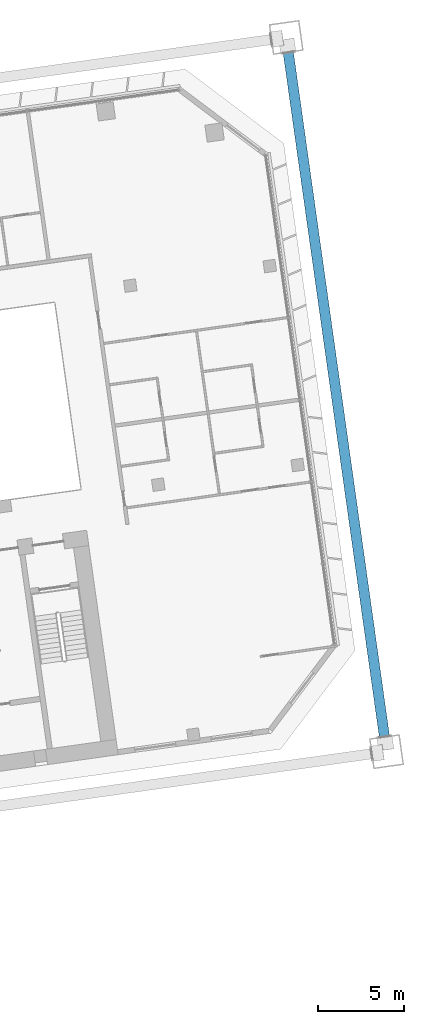
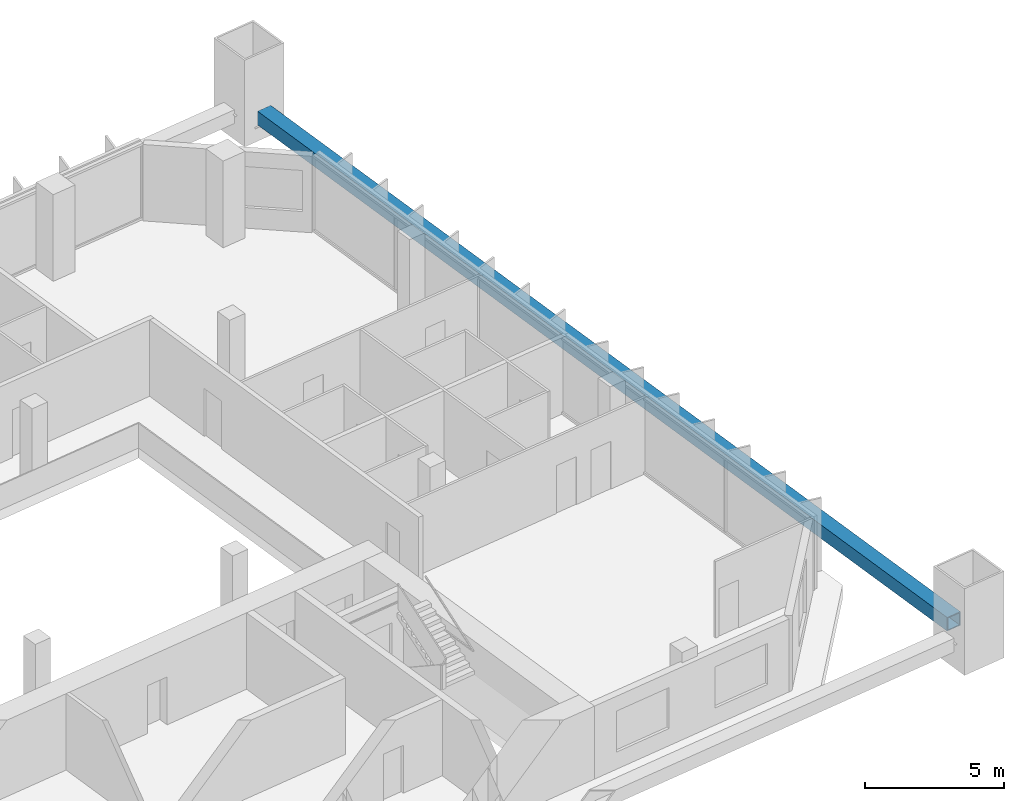
# One storey, part 21 of 46: 1 member.
"""IFC4 building model written with IfcOpenShell, lengths in metres."""

from ifc_helpers import new_model, si_unit, direction, frame, origin, origin_2d, place, context, subcontext, project, spatial, hollow_rectangle, extrude, material, material_profile, profile_set, type_object, element, save


model = new_model("IFC4")

# Units and contexts
model_context = context("Model", 3, precision=1e-05, world=origin(), true_north=direction((0.0, 1.0)))
body_context = subcontext(model_context, "Body", "Model", "MODEL_VIEW")
ifc_project = project(units=[si_unit("LENGTHUNIT", "METRE"), si_unit("AREAUNIT", "SQUARE_METRE"), si_unit("VOLUMEUNIT", "CUBIC_METRE"), si_unit("PLANEANGLEUNIT", "RADIAN"), si_unit("MASSUNIT", "GRAM", prefix="KILO")], contexts=[model_context])

# Site, building, storey
site_placement = place(None, origin())
site = spatial("IfcSite", under=ifc_project, at=site_placement, CompositionType="ELEMENT")
building_placement = place(site_placement, origin())
building = spatial("IfcBuilding", under=site, at=building_placement, Name="Mirante Cascada Hotel Towers", CompositionType="ELEMENT")
storey_placement = place(building_placement, frame((0.0, 0.0, 39.5)))
storey = spatial("IfcBuildingStorey", under=building, at=storey_placement, Name="L06", CompositionType="ELEMENT", Elevation=39.5)

# Member
ifc_material = material(Name="Steel ASTM A572 Gr 50", Category="steel")
ifc_material_profile = material_profile(ifc_material, hollow_rectangle(XDim=0.6, YDim=0.6, WallThickness=0.04, at=origin_2d()), Name="Box chord 600x600x40 ASTM A572 Gr 50")
ifc_profile_set = profile_set([ifc_material_profile], Name="Steel ASTM A572 Gr 50")
member_type = type_object("IfcMemberType", Name="Box chord 600x600x40 ASTM A572 Gr 50", PredefinedType="CHORD", material=ifc_profile_set)
member_placement = place(storey_placement, frame((106.08, -11.6254, 1.0), z_axis=(-0.1391724, 0.9902682, 0.0), x_axis=(-0.9902682, -0.1391724, 0.0)))
element("IfcMember", 1, at=member_placement, inside=storey, type_object=member_type, Name="exochord T2 L06 4", PredefinedType="CHORD", context=body_context, shape_type="SweptSolid", body=[
    extrude(hollow_rectangle(XDim=0.6, YDim=0.6, WallThickness=0.04, at=origin_2d()), origin(), (0.0, 0.0, 1.0), 40.24),
])

save(model, "model.ifc")
